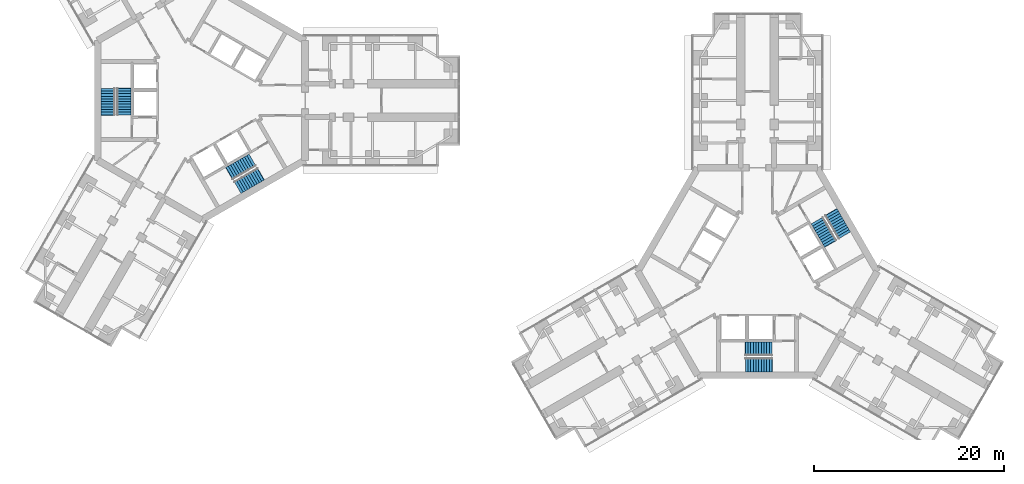
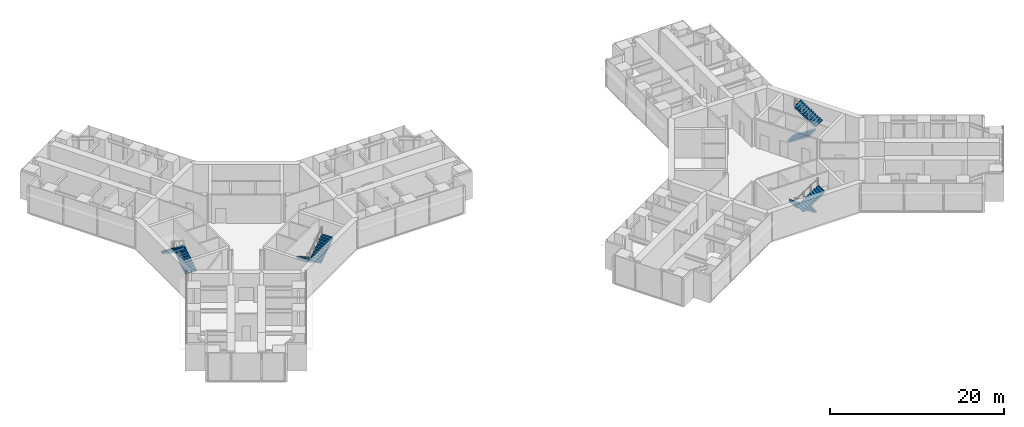
# One storey, part 22 of 23: 8 stair flights, 4 elements without a shape of their own.
"""IFC4 building model written with IfcOpenShell, lengths in metres."""

from ifc_helpers import new_model, si_unit, direction, frame, origin, place, context, subcontext, project, spatial, polyline, outline, extrude, material, type_object, element, aggregate, save


model = new_model("IFC4")

# Units and contexts
model_context = context("Model", 3, precision=1e-05, world=origin(), true_north=direction((0.0, 1.0)))
body_context = subcontext(model_context, "Body", "Model", "MODEL_VIEW")
ifc_project = project(units=[si_unit("LENGTHUNIT", "METRE"), si_unit("AREAUNIT", "SQUARE_METRE"), si_unit("VOLUMEUNIT", "CUBIC_METRE"), si_unit("PLANEANGLEUNIT", "RADIAN"), si_unit("MASSUNIT", "GRAM", prefix="KILO")], contexts=[model_context])

# Site, building, storey
site_placement = place(None, origin())
site = spatial("IfcSite", under=ifc_project, at=site_placement, CompositionType="ELEMENT")
building_placement = place(site_placement, origin())
building = spatial("IfcBuilding", under=site, at=building_placement, Name="Upepo Twin Towers", CompositionType="ELEMENT")
storey_placement = place(building_placement, frame((0.0, 0.0, 28.5)))
storey = spatial("IfcBuildingStorey", under=building, at=storey_placement, Name="L06", CompositionType="ELEMENT", Elevation=28.5)

# Stair, stair flights
ifc_material_1 = material(Name="Concrete C40/50", Category="concrete")
stair_type = type_object("IfcStairType", Name="Core stair, two flights", PredefinedType="HALF_TURN_STAIR", material=ifc_material_1)
stair_1_placement = place(storey_placement, origin())
stair_1 = element("IfcStair", 1, at=stair_1_placement, inside=storey, type_object=stair_type, Name="T1 stair S1 L06", PredefinedType="HALF_TURN_STAIR")
ifc_material_2 = material(Name="Concrete C40/50", Category="concrete")
stair_flight_type = type_object("IfcStairFlightType", Name="Stair flight 1450 RC", PredefinedType="STRAIGHT", material=ifc_material_2)
stair_flight_1_placement = place(storey_placement, frame((-8.125, -1.52001953125, 0.0), z_axis=(0.0, 0.0, 1.0), x_axis=(0.0, 1.0, 0.0)))
stair_flight_1 = element("IfcStairFlight", 2, at=stair_flight_1_placement, type_object=stair_flight_type, Name="Stair S1 flight 1", NumberOfRisers=11, NumberOfTreads=10, PredefinedType="STRAIGHT", RiserHeight=0.181818182, TreadLength=0.28, context=body_context, shape_type="SweptSolid", body=[
    extrude(outline(polyline([(0.0, 0.0), (0.0, 0.181884765625), (0.280029296875, 0.181884765625), (0.280029296875, 0.363525390625), (0.56005859375, 0.363525390625), (0.56005859375, 0.54541015625), (0.840087890625, 0.54541015625), (0.840087890625, 0.727294921875), (1.1201171875, 0.727294921875), (1.1201171875, 0.9091796875), (1.39990234375, 0.9091796875), (1.39990234375, 1.0908203125), (1.679931640625, 1.0908203125), (1.679931640625, 1.272705078125), (1.9599609375, 1.272705078125), (1.9599609375, 1.45458984375), (2.239990234375, 1.45458984375), (2.239990234375, 1.636474609375), (2.52001953125, 1.636474609375), (2.52001953125, 1.818115234375), (2.800048828125, 1.818115234375), (2.800048828125, 2.0), (2.85009765625, 2.0), (2.85009765625, 1.639404296875), (0.3251953125, 0.0), (0.0, 0.0)])), frame((0.0, 0.72509765625, 0.0), z_axis=(0.0, -1.0, 0.0), x_axis=(1.0, 0.0, 0.0)), (0.0, 0.0, 1.0), 1.449951171875),
])
stair_flight_2_placement = place(storey_placement, frame((-9.833251953125, 1.280029296875, 2.0), z_axis=(0.0, 0.0, 1.0), x_axis=(0.0, -1.0, 0.0)))
stair_flight_2 = element("IfcStairFlight", 3, at=stair_flight_2_placement, type_object=stair_flight_type, Name="Stair S1 flight 2", NumberOfRisers=11, NumberOfTreads=10, PredefinedType="STRAIGHT", RiserHeight=0.181818182, TreadLength=0.28, context=body_context, shape_type="SweptSolid", body=[
    extrude(outline(polyline([(0.0, 0.0), (0.0, 0.181884765625), (0.280029296875, 0.181884765625), (0.280029296875, 0.363525390625), (0.56005859375, 0.363525390625), (0.56005859375, 0.54541015625), (0.840087890625, 0.54541015625), (0.840087890625, 0.727294921875), (1.1201171875, 0.727294921875), (1.1201171875, 0.9091796875), (1.39990234375, 0.9091796875), (1.39990234375, 1.0908203125), (1.679931640625, 1.0908203125), (1.679931640625, 1.272705078125), (1.9599609375, 1.272705078125), (1.9599609375, 1.45458984375), (2.239990234375, 1.45458984375), (2.239990234375, 1.636474609375), (2.52001953125, 1.636474609375), (2.52001953125, 1.818115234375), (2.800048828125, 1.818115234375), (2.800048828125, 2.0), (2.85009765625, 2.0), (2.85009765625, 1.639404296875), (0.3251953125, 0.0), (0.0, 0.0)])), frame((0.0, 0.72509765625, 0.0), z_axis=(0.0, -1.0, 0.0), x_axis=(1.0, 0.0, 0.0)), (0.0, 0.0, 1.0), 1.449951171875),
])
aggregate(stair_1, [stair_flight_1, stair_flight_2])

stair_2_placement = place(storey_placement, origin())
stair_2 = element("IfcStair", 4, at=stair_2_placement, inside=storey, type_object=stair_type, Name="T1 stair S2 L06", PredefinedType="HALF_TURN_STAIR")
stair_flight_3_placement = place(storey_placement, frame((5.37890625, -6.2763671875, 0.0), z_axis=(0.0, 0.0, 1.0), x_axis=(-0.866025403784, -0.5, 0.0)))
stair_flight_3 = element("IfcStairFlight", 5, at=stair_flight_3_placement, type_object=stair_flight_type, Name="Stair S2 flight 1", NumberOfRisers=11, NumberOfTreads=10, PredefinedType="STRAIGHT", RiserHeight=0.181818182, TreadLength=0.28, context=body_context, shape_type="SweptSolid", body=[
    extrude(outline(polyline([(0.0, 0.0), (0.0, 0.181884765625), (0.280029296875, 0.181884765625), (0.280029296875, 0.363525390625), (0.56005859375, 0.363525390625), (0.56005859375, 0.54541015625), (0.840087890625, 0.54541015625), (0.840087890625, 0.727294921875), (1.1201171875, 0.727294921875), (1.1201171875, 0.9091796875), (1.39990234375, 0.9091796875), (1.39990234375, 1.0908203125), (1.679931640625, 1.0908203125), (1.679931640625, 1.272705078125), (1.9599609375, 1.272705078125), (1.9599609375, 1.45458984375), (2.239990234375, 1.45458984375), (2.239990234375, 1.636474609375), (2.52001953125, 1.636474609375), (2.52001953125, 1.818115234375), (2.800048828125, 1.818115234375), (2.800048828125, 2.0), (2.85009765625, 2.0), (2.85009765625, 1.639404296875), (0.3251953125, 0.0), (0.0, 0.0)])), frame((0.0, 0.72509765625, 0.0), z_axis=(0.0, -1.0, 0.0), x_axis=(1.0, 0.0, 0.0)), (0.0, 0.0, 1.0), 1.449951171875),
])
stair_flight_4_placement = place(storey_placement, frame((3.80810546875, -9.156005859375, 2.0), z_axis=(0.0, 0.0, 1.0), x_axis=(0.866025403784, 0.5, 0.0)))
stair_flight_4 = element("IfcStairFlight", 6, at=stair_flight_4_placement, type_object=stair_flight_type, Name="Stair S2 flight 2", NumberOfRisers=11, NumberOfTreads=10, PredefinedType="STRAIGHT", RiserHeight=0.181818182, TreadLength=0.28, context=body_context, shape_type="SweptSolid", body=[
    extrude(outline(polyline([(0.0, 0.0), (0.0, 0.181884765625), (0.280029296875, 0.181884765625), (0.280029296875, 0.363525390625), (0.56005859375, 0.363525390625), (0.56005859375, 0.54541015625), (0.840087890625, 0.54541015625), (0.840087890625, 0.727294921875), (1.1201171875, 0.727294921875), (1.1201171875, 0.9091796875), (1.39990234375, 0.9091796875), (1.39990234375, 1.0908203125), (1.679931640625, 1.0908203125), (1.679931640625, 1.272705078125), (1.9599609375, 1.272705078125), (1.9599609375, 1.45458984375), (2.239990234375, 1.45458984375), (2.239990234375, 1.636474609375), (2.52001953125, 1.636474609375), (2.52001953125, 1.818115234375), (2.800048828125, 1.818115234375), (2.800048828125, 2.0), (2.85009765625, 2.0), (2.85009765625, 1.639404296875), (0.3251953125, 0.0), (0.0, 0.0)])), frame((0.0, 0.72509765625, 0.0), z_axis=(0.0, -1.0, 0.0), x_axis=(1.0, 0.0, 0.0)), (0.0, 0.0, 1.0), 1.449951171875),
])
aggregate(stair_2, [stair_flight_3, stair_flight_4])

stair_3_placement = place(storey_placement, origin())
stair_3 = element("IfcStair", 7, at=stair_3_placement, inside=storey, type_object=stair_type, Name="T2 stair S1 L06", PredefinedType="HALF_TURN_STAIR")
stair_flight_5_placement = place(storey_placement, frame((60.02001953125, -26.125, 0.0), z_axis=(0.0, 0.0, 1.0), x_axis=(-1.0, 0.0, 0.0)))
stair_flight_5 = element("IfcStairFlight", 8, at=stair_flight_5_placement, type_object=stair_flight_type, Name="Stair S1 flight 1", NumberOfRisers=11, NumberOfTreads=10, PredefinedType="STRAIGHT", RiserHeight=0.181818182, TreadLength=0.28, context=body_context, shape_type="SweptSolid", body=[
    extrude(outline(polyline([(0.0, 0.0), (0.0, 0.181884765625), (0.280029296875, 0.181884765625), (0.280029296875, 0.363525390625), (0.56005859375, 0.363525390625), (0.56005859375, 0.54541015625), (0.840087890625, 0.54541015625), (0.840087890625, 0.727294921875), (1.1201171875, 0.727294921875), (1.1201171875, 0.9091796875), (1.39990234375, 0.9091796875), (1.39990234375, 1.0908203125), (1.679931640625, 1.0908203125), (1.679931640625, 1.272705078125), (1.9599609375, 1.272705078125), (1.9599609375, 1.45458984375), (2.239990234375, 1.45458984375), (2.239990234375, 1.636474609375), (2.52001953125, 1.636474609375), (2.52001953125, 1.818115234375), (2.800048828125, 1.818115234375), (2.800048828125, 2.0), (2.85009765625, 2.0), (2.85009765625, 1.639404296875), (0.3251953125, 0.0), (0.0, 0.0)])), frame((0.0, 0.72509765625, 0.0), z_axis=(0.0, -1.0, 0.0), x_axis=(1.0, 0.0, 0.0)), (0.0, 0.0, 1.0), 1.449951171875),
])
stair_flight_6_placement = place(storey_placement, frame((57.219970703125, -27.833251953125, 2.0), z_axis=(0.0, 0.0, 1.0), x_axis=(1.0, 0.0, 0.0)))
stair_flight_6 = element("IfcStairFlight", 9, at=stair_flight_6_placement, type_object=stair_flight_type, Name="Stair S1 flight 2", NumberOfRisers=11, NumberOfTreads=10, PredefinedType="STRAIGHT", RiserHeight=0.181818182, TreadLength=0.28, context=body_context, shape_type="SweptSolid", body=[
    extrude(outline(polyline([(0.0, 0.0), (0.0, 0.181884765625), (0.280029296875, 0.181884765625), (0.280029296875, 0.363525390625), (0.56005859375, 0.363525390625), (0.56005859375, 0.54541015625), (0.840087890625, 0.54541015625), (0.840087890625, 0.727294921875), (1.1201171875, 0.727294921875), (1.1201171875, 0.9091796875), (1.39990234375, 0.9091796875), (1.39990234375, 1.0908203125), (1.679931640625, 1.0908203125), (1.679931640625, 1.272705078125), (1.9599609375, 1.272705078125), (1.9599609375, 1.45458984375), (2.239990234375, 1.45458984375), (2.239990234375, 1.636474609375), (2.52001953125, 1.636474609375), (2.52001953125, 1.818115234375), (2.800048828125, 1.818115234375), (2.800048828125, 2.0), (2.85009765625, 2.0), (2.85009765625, 1.639404296875), (0.3251953125, 0.0), (0.0, 0.0)])), frame((0.0, 0.72509765625, 0.0), z_axis=(0.0, -1.0, 0.0), x_axis=(1.0, 0.0, 0.0)), (0.0, 0.0, 1.0), 1.449951171875),
])
aggregate(stair_3, [stair_flight_5, stair_flight_6])

stair_4_placement = place(storey_placement, origin())
stair_4 = element("IfcStair", 10, at=stair_4_placement, inside=storey, type_object=stair_type, Name="T2 stair S2 L06", PredefinedType="HALF_TURN_STAIR")
stair_flight_7_placement = place(storey_placement, frame((64.7763671875, -12.62109375, 0.0), z_axis=(0.0, 0.0, 1.0), x_axis=(0.5, -0.866025403784, 0.0)))
stair_flight_7 = element("IfcStairFlight", 11, at=stair_flight_7_placement, type_object=stair_flight_type, Name="Stair S2 flight 1", NumberOfRisers=11, NumberOfTreads=10, PredefinedType="STRAIGHT", RiserHeight=0.181818182, TreadLength=0.28, context=body_context, shape_type="SweptSolid", body=[
    extrude(outline(polyline([(0.0, 0.0), (0.0, 0.181884765625), (0.280029296875, 0.181884765625), (0.280029296875, 0.363525390625), (0.56005859375, 0.363525390625), (0.56005859375, 0.54541015625), (0.840087890625, 0.54541015625), (0.840087890625, 0.727294921875), (1.1201171875, 0.727294921875), (1.1201171875, 0.9091796875), (1.39990234375, 0.9091796875), (1.39990234375, 1.0908203125), (1.679931640625, 1.0908203125), (1.679931640625, 1.272705078125), (1.9599609375, 1.272705078125), (1.9599609375, 1.45458984375), (2.239990234375, 1.45458984375), (2.239990234375, 1.636474609375), (2.52001953125, 1.636474609375), (2.52001953125, 1.818115234375), (2.800048828125, 1.818115234375), (2.800048828125, 2.0), (2.85009765625, 2.0), (2.85009765625, 1.639404296875), (0.3251953125, 0.0), (0.0, 0.0)])), frame((0.0, 0.72509765625, 0.0), z_axis=(0.0, -1.0, 0.0), x_axis=(1.0, 0.0, 0.0)), (0.0, 0.0, 1.0), 1.449951171875),
])
stair_flight_8_placement = place(storey_placement, frame((67.656005859375, -14.19189453125, 2.0), z_axis=(0.0, 0.0, 1.0), x_axis=(-0.5, 0.866025403784, 0.0)))
stair_flight_8 = element("IfcStairFlight", 12, at=stair_flight_8_placement, type_object=stair_flight_type, Name="Stair S2 flight 2", NumberOfRisers=11, NumberOfTreads=10, PredefinedType="STRAIGHT", RiserHeight=0.181818182, TreadLength=0.28, context=body_context, shape_type="SweptSolid", body=[
    extrude(outline(polyline([(0.0, 0.0), (0.0, 0.181884765625), (0.280029296875, 0.181884765625), (0.280029296875, 0.363525390625), (0.56005859375, 0.363525390625), (0.56005859375, 0.54541015625), (0.840087890625, 0.54541015625), (0.840087890625, 0.727294921875), (1.1201171875, 0.727294921875), (1.1201171875, 0.9091796875), (1.39990234375, 0.9091796875), (1.39990234375, 1.0908203125), (1.679931640625, 1.0908203125), (1.679931640625, 1.272705078125), (1.9599609375, 1.272705078125), (1.9599609375, 1.45458984375), (2.239990234375, 1.45458984375), (2.239990234375, 1.636474609375), (2.52001953125, 1.636474609375), (2.52001953125, 1.818115234375), (2.800048828125, 1.818115234375), (2.800048828125, 2.0), (2.85009765625, 2.0), (2.85009765625, 1.639404296875), (0.3251953125, 0.0), (0.0, 0.0)])), frame((0.0, 0.72509765625, 0.0), z_axis=(0.0, -1.0, 0.0), x_axis=(1.0, 0.0, 0.0)), (0.0, 0.0, 1.0), 1.449951171875),
])
aggregate(stair_4, [stair_flight_7, stair_flight_8])

save(model, "model.ifc")
